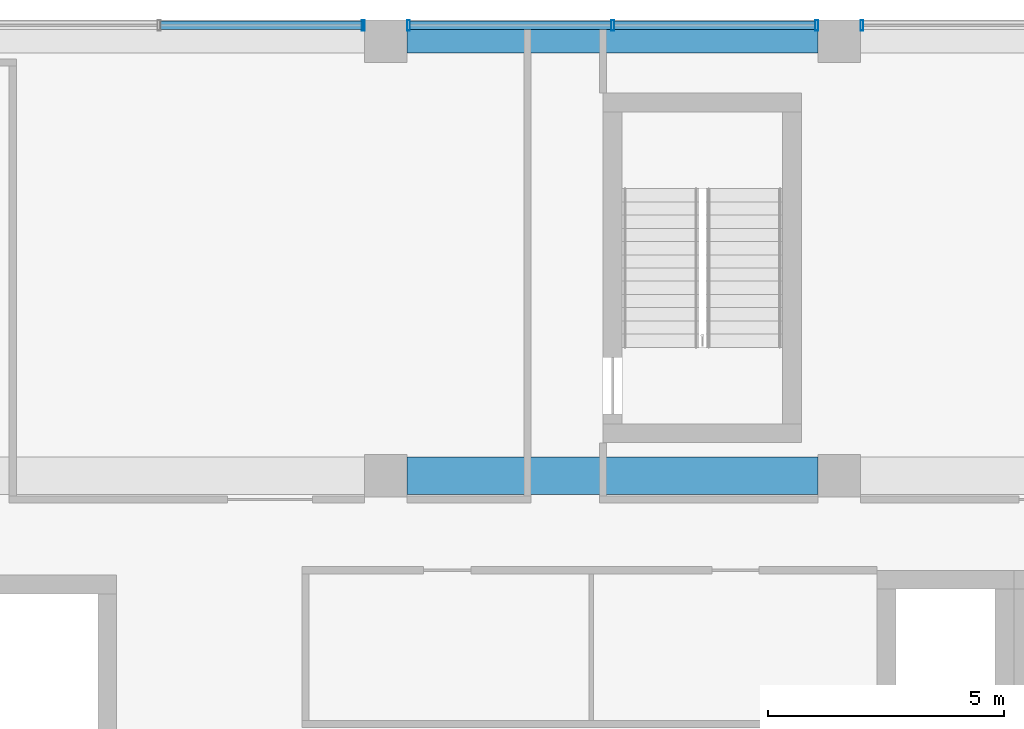
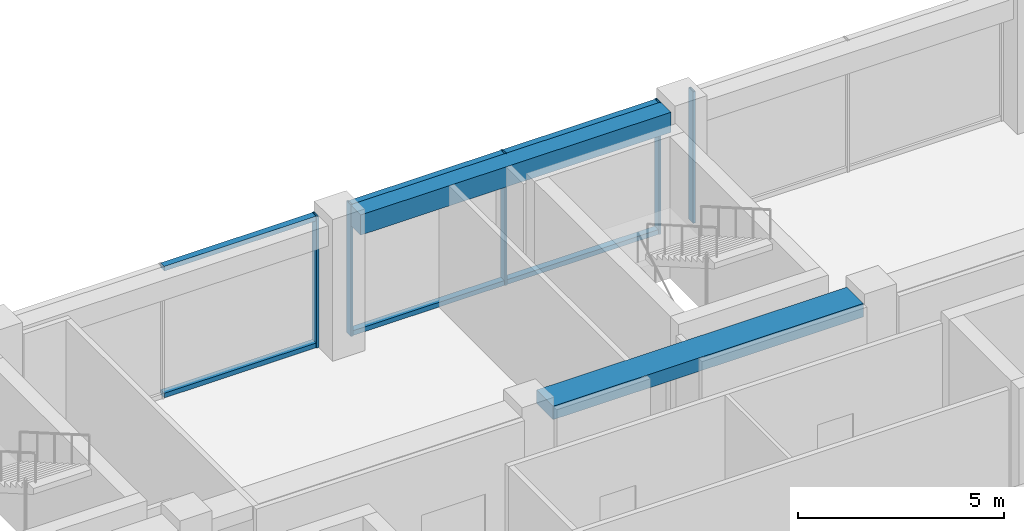
# One storey, part 23 of 38: 11 members, 2 beams, 3 elements without a shape of their own.
"""IFC4 building model written with IfcOpenShell, lengths in metres."""

from ifc_helpers import new_model, si_unit, direction, frame, origin, origin_2d, place, context, subcontext, project, spatial, rectangle, hollow_rectangle, extrude, material, layer, layer_set, material_profile, profile_set, type_object, element, aggregate, save


model = new_model("IFC4")

# Units and contexts
model_context = context("Model", 3, precision=1e-05, world=origin(), true_north=direction((0.0, 1.0)))
body_context = subcontext(model_context, "Body", "Model", "MODEL_VIEW")
ifc_project = project(units=[si_unit("LENGTHUNIT", "METRE"), si_unit("AREAUNIT", "SQUARE_METRE"), si_unit("VOLUMEUNIT", "CUBIC_METRE"), si_unit("PLANEANGLEUNIT", "RADIAN"), si_unit("MASSUNIT", "GRAM", prefix="KILO")], contexts=[model_context])

# Site, building, storey
site_placement = place(None, origin())
site = spatial("IfcSite", under=ifc_project, at=site_placement, CompositionType="ELEMENT")
building_placement = place(site_placement, origin())
building = spatial("IfcBuilding", under=site, at=building_placement, Name="Nzadi Deep Aquarium and Research Tower", CompositionType="ELEMENT")
storey_placement = place(building_placement, frame((0.0, 0.0, 65.5)))
storey = spatial("IfcBuildingStorey", under=building, at=storey_placement, Name="L13", CompositionType="ELEMENT", Elevation=65.5)

# Curtain wall, member
ifc_material_1 = material(Name="Aluminium unitised frame deep", Category="aluminium")
ifc_layer = layer(ifc_material_1, 0.22509765625)
ifc_layer_set = layer_set([ifc_layer], Name="Aluminium unitised frame deep")
curtain_wall_type = type_object("IfcCurtainWallType", Name="Curtain wall Unitised Deep 225", PredefinedType="NOTDEFINED", material=ifc_layer_set)
curtain_wall_1_placement = place(storey_placement, origin())
curtain_wall_1 = element("IfcCurtainWall", 1, at=curtain_wall_1_placement, inside=storey, type_object=curtain_wall_type, Name="Unitised curtain wall blade B north L13", PredefinedType="NOTDEFINED")
ifc_material_2 = material(Name="Aluminium unitised frame deep", Category="aluminium")
ifc_material_profile_1 = material_profile(ifc_material_2, hollow_rectangle(XDim=0.22509765625, YDim=0.06005859375, WallThickness=0.0048828125, at=origin_2d()))
ifc_profile_set_1 = profile_set([ifc_material_profile_1], Name="Aluminium unitised frame deep")
member_type_1 = type_object("IfcMemberType", Name="Mullion 60x225 Unitised Deep", PredefinedType="MULLION", material=ifc_profile_set_1)
member_1_placement = place(storey_placement, frame((18.719970703125, 46.33740234375, 0.0), z_axis=(0.0, 0.0, 1.0), x_axis=(0.0, 1.0, 0.0)))
member_1 = element("IfcMember", 2, at=member_1_placement, type_object=member_type_1, Name="CW171 mullion 3", PredefinedType="MULLION", context=body_context, shape_type="SweptSolid", body=[
    extrude(hollow_rectangle(XDim=0.22509765625, YDim=0.06005859375, WallThickness=0.0048828125, at=origin_2d()), origin(), (0.0, 0.0, 1.0), 3.89990234375),
])

# Curtain wall, members
curtain_wall_2_placement = place(storey_placement, origin())
curtain_wall_2 = element("IfcCurtainWall", 3, at=curtain_wall_2_placement, inside=storey, type_object=curtain_wall_type, Name="Unitised curtain wall blade B north L13", PredefinedType="NOTDEFINED")
member_2_placement = place(storey_placement, frame((19.679931640625, 46.33740234375, 0.0), z_axis=(0.0, 0.0, 1.0), x_axis=(0.0, 1.0, 0.0)))
member_2 = element("IfcMember", 4, at=member_2_placement, type_object=member_type_1, Name="CW172 mullion 1", PredefinedType="MULLION", context=body_context, shape_type="SweptSolid", body=[
    extrude(hollow_rectangle(XDim=0.22509765625, YDim=0.06005859375, WallThickness=0.0048828125, at=origin_2d()), origin(), (0.0, 0.0, 1.0), 3.89990234375),
])
member_3_placement = place(storey_placement, frame((24.0, 46.33740234375, 0.0), z_axis=(0.0, 0.0, 1.0), x_axis=(0.0, 1.0, 0.0)))
member_3 = element("IfcMember", 5, at=member_3_placement, type_object=member_type_1, Name="CW172 mullion 2", PredefinedType="MULLION", context=body_context, shape_type="SweptSolid", body=[
    extrude(hollow_rectangle(XDim=0.22509765625, YDim=0.06005859375, WallThickness=0.0048828125, at=origin_2d()), origin(), (0.0, 0.0, 1.0), 3.89990234375),
])
member_4_placement = place(storey_placement, frame((28.320068359375, 46.33740234375, 0.0), z_axis=(0.0, 0.0, 1.0), x_axis=(0.0, 1.0, 0.0)))
member_4 = element("IfcMember", 6, at=member_4_placement, type_object=member_type_1, Name="CW172 mullion 3", PredefinedType="MULLION", context=body_context, shape_type="SweptSolid", body=[
    extrude(hollow_rectangle(XDim=0.22509765625, YDim=0.06005859375, WallThickness=0.0048828125, at=origin_2d()), origin(), (0.0, 0.0, 1.0), 3.89990234375),
])

# Curtain wall, member
curtain_wall_3_placement = place(storey_placement, origin())
curtain_wall_3 = element("IfcCurtainWall", 7, at=curtain_wall_3_placement, inside=storey, type_object=curtain_wall_type, Name="Unitised curtain wall blade B north L13", PredefinedType="NOTDEFINED")
member_5_placement = place(storey_placement, frame((29.280029296875, 46.33740234375, 0.0), z_axis=(0.0, 0.0, 1.0), x_axis=(0.0, 1.0, 0.0)))
member_5 = element("IfcMember", 8, at=member_5_placement, type_object=member_type_1, Name="CW173 mullion 1", PredefinedType="MULLION", context=body_context, shape_type="SweptSolid", body=[
    extrude(hollow_rectangle(XDim=0.22509765625, YDim=0.06005859375, WallThickness=0.0048828125, at=origin_2d()), origin(), (0.0, 0.0, 1.0), 3.89990234375),
])
aggregate(curtain_wall_3, [member_5])

# Beams
ifc_material_3 = material(Name="Concrete C35/45", Category="concrete")
ifc_material_profile_2 = material_profile(ifc_material_3, rectangle(XDim=0.5, YDim=0.60009765625, at=origin_2d()))
ifc_profile_set_2 = profile_set([ifc_material_profile_2], Name="Concrete C35/45")
beam_type_1 = type_object("IfcBeamType", Name="RC 500x600", PredefinedType="BEAM", material=ifc_profile_set_2)
beam_1_placement = place(storey_placement, frame((19.64990234375, 46.0, 3.60009765625), z_axis=(1.0, 0.0, 0.0), x_axis=(0.0, 1.0, 0.0)))
element("IfcBeam", 9, at=beam_1_placement, inside=storey, type_object=beam_type_1, Name="B-Z1-L13-L6-3", PredefinedType="BEAM", context=body_context, shape_type="SweptSolid", body=[
    extrude(rectangle(XDim=0.5, YDim=0.60009765625, at=origin_2d()), origin(), (0.0, 0.0, 1.0), 8.7001953125),
])
ifc_material_4 = material(Name="Concrete C35/45", Category="concrete")
ifc_material_profile_3 = material_profile(ifc_material_4, rectangle(XDim=0.800048828125, YDim=0.39990234375, at=origin_2d()))
ifc_profile_set_3 = profile_set([ifc_material_profile_3], Name="Concrete C35/45")
beam_type_2 = type_object("IfcBeamType", Name="RC 800x400", PredefinedType="BEAM", material=ifc_profile_set_3)
beam_2_placement = place(storey_placement, frame((19.64990234375, 36.800048828125, 3.699951171875), z_axis=(1.0, 0.0, 0.0), x_axis=(0.0, 1.0, 0.0)))
element("IfcBeam", 10, at=beam_2_placement, inside=storey, type_object=beam_type_2, Name="B-Z1-L13-L5-3", PredefinedType="BEAM", context=body_context, shape_type="SweptSolid", body=[
    extrude(rectangle(XDim=0.800048828125, YDim=0.39990234375, at=origin_2d()), origin(), (0.0, 0.0, 1.0), 8.7001953125),
])

# Member
ifc_material_5 = material(Name="Aluminium unitised frame deep", Category="aluminium")
ifc_material_profile_4 = material_profile(ifc_material_5, hollow_rectangle(XDim=0.179931640625, YDim=0.139892578125, WallThickness=0.0048828125, at=origin_2d()))
ifc_profile_set_4 = profile_set([ifc_material_profile_4], Name="Aluminium unitised frame deep")
member_type_2 = type_object("IfcMemberType", Name="Transom 140x180 Unitised Deep", PredefinedType="MULLION", material=ifc_profile_set_4)
member_6_placement = place(storey_placement, frame((14.429931640625, 46.33740234375, 0.070068359375), z_axis=(1.0, 0.0, 0.0), x_axis=(0.0, 1.0, 0.0)))
member_6 = element("IfcMember", 11, at=member_6_placement, type_object=member_type_2, Name="CW171 transom 2.1", PredefinedType="MULLION", context=body_context, shape_type="SweptSolid", body=[
    extrude(hollow_rectangle(XDim=0.179931640625, YDim=0.139892578125, WallThickness=0.0048828125, at=origin_2d()), origin(), (0.0, 0.0, 1.0), 4.260009765625),
])

member_7_placement = place(storey_placement, frame((14.429931640625, 46.33740234375, 3.830078125), z_axis=(1.0, 0.0, 0.0), x_axis=(0.0, 1.0, 0.0)))
member_7 = element("IfcMember", 12, at=member_7_placement, type_object=member_type_2, Name="CW171 transom 2.2", PredefinedType="MULLION", context=body_context, shape_type="SweptSolid", body=[
    extrude(hollow_rectangle(XDim=0.179931640625, YDim=0.139892578125, WallThickness=0.0048828125, at=origin_2d()), origin(), (0.0, 0.0, 1.0), 4.260009765625),
])

aggregate(curtain_wall_1, [member_1, member_6, member_7])

member_8_placement = place(storey_placement, frame((19.7099609375, 46.33740234375, 0.070068359375), z_axis=(1.0, 0.0, 0.0), x_axis=(0.0, 1.0, 0.0)))
member_8 = element("IfcMember", 13, at=member_8_placement, type_object=member_type_2, Name="CW172 transom 1.1", PredefinedType="MULLION", context=body_context, shape_type="SweptSolid", body=[
    extrude(hollow_rectangle(XDim=0.179931640625, YDim=0.139892578125, WallThickness=0.0048828125, at=origin_2d()), origin(), (0.0, 0.0, 1.0), 4.260009765625),
])

member_9_placement = place(storey_placement, frame((19.7099609375, 46.33740234375, 3.830078125), z_axis=(1.0, 0.0, 0.0), x_axis=(0.0, 1.0, 0.0)))
member_9 = element("IfcMember", 14, at=member_9_placement, type_object=member_type_2, Name="CW172 transom 1.2", PredefinedType="MULLION", context=body_context, shape_type="SweptSolid", body=[
    extrude(hollow_rectangle(XDim=0.179931640625, YDim=0.139892578125, WallThickness=0.0048828125, at=origin_2d()), origin(), (0.0, 0.0, 1.0), 4.260009765625),
])

member_10_placement = place(storey_placement, frame((24.030029296875, 46.33740234375, 0.070068359375), z_axis=(1.0, 0.0, 0.0), x_axis=(0.0, 1.0, 0.0)))
member_10 = element("IfcMember", 15, at=member_10_placement, type_object=member_type_2, Name="CW172 transom 2.1", PredefinedType="MULLION", context=body_context, shape_type="SweptSolid", body=[
    extrude(hollow_rectangle(XDim=0.179931640625, YDim=0.139892578125, WallThickness=0.0048828125, at=origin_2d()), origin(), (0.0, 0.0, 1.0), 4.260009765625),
])

member_11_placement = place(storey_placement, frame((24.030029296875, 46.33740234375, 3.830078125), z_axis=(1.0, 0.0, 0.0), x_axis=(0.0, 1.0, 0.0)))
member_11 = element("IfcMember", 16, at=member_11_placement, type_object=member_type_2, Name="CW172 transom 2.2", PredefinedType="MULLION", context=body_context, shape_type="SweptSolid", body=[
    extrude(hollow_rectangle(XDim=0.179931640625, YDim=0.139892578125, WallThickness=0.0048828125, at=origin_2d()), origin(), (0.0, 0.0, 1.0), 4.260009765625),
])

aggregate(curtain_wall_2, [member_2, member_3, member_4, member_8, member_9, member_10, member_11])

save(model, "model.ifc")
